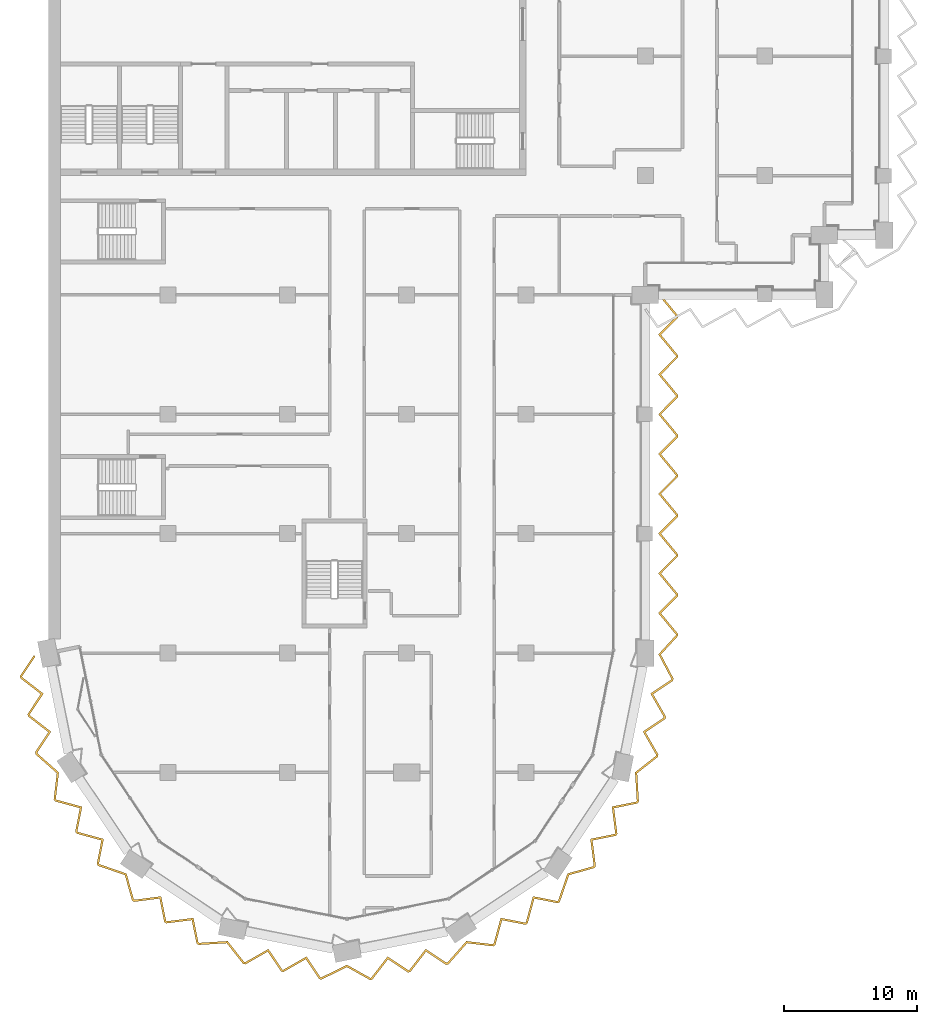
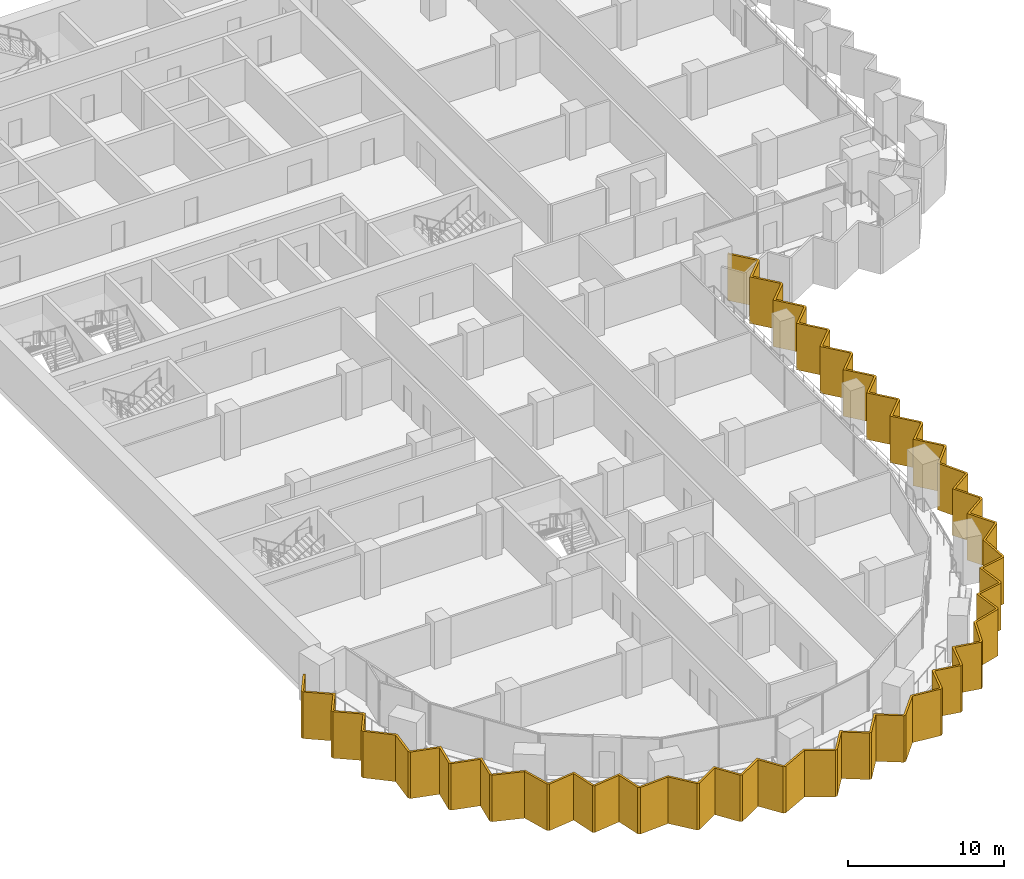
# One storey, part 18 of 22: 1 shading device.
"""IFC4 building model written with IfcOpenShell, lengths in metres."""

import ifcopenshell
import ifcopenshell.guid

model = None  # the IFC model being written
_history = None  # IfcOwnerHistory: only IFC2X3 demands one
_inside = {}  # id of a spatial element -> (the spatial element, [elements in it])
_under = {}  # id of a project, library or spatial element -> (it, [spatial elements below it])
_declared = {}  # id of a project -> (the project, [libraries it declares])
_typed = {}  # id of a type object -> (the type object, [elements of that type])
_made_of = {}  # id of a material, layer set ... -> (it, [elements and type objects made of it])


def new_model(schema):
    """Start an empty IFC model of exactly this schema.

    Asked for "IFC4X3", IfcOpenShell would pick the latest addendum, in which some entities
    have other attributes; the version numbers below select the first issue.
    IFC2X3 requires an IfcOwnerHistory on every rooted entity: one is made here for all.
    """
    global model, _history
    if schema == "IFC4X3":
        model = ifcopenshell.file(schema_version=(4, 3, 0, 0))
    else:
        model = ifcopenshell.file(schema=schema)
    _inside.clear()
    _under.clear()
    _declared.clear()
    _typed.clear()
    _made_of.clear()
    _history = None
    if model.schema == "IFC2X3":
        org = make("IfcOrganization", Name="unknown")
        user = make(
            "IfcPersonAndOrganization",
            ThePerson=make("IfcPerson", FamilyName="unknown"),
            TheOrganization=org,
        )
        app = make(
            "IfcApplication",
            ApplicationDeveloper=org,
            Version="unknown",
            ApplicationFullName="unknown",
            ApplicationIdentifier="unknown",
        )
        _history = make(
            "IfcOwnerHistory",
            OwningUser=user,
            OwningApplication=app,
            ChangeAction="ADDED",
            CreationDate=0,
        )
    return model


def make(cls, **values):
    """One entity of the class cls with the attributes given. An attribute that is None is left unset."""
    return model.create_entity(
        cls, **{name: value for name, value in values.items() if value is not None}
    )


def rooted(cls, **values):
    """An entity with a GlobalId (a new one), such as an element, a storey or a relation."""
    return make(cls, GlobalId=ifcopenshell.guid.new(), OwnerHistory=_history, **values)


def si_unit(unit_type, name, prefix=None):
    """IfcSIUnit, for example si_unit("LENGTHUNIT", "METRE", prefix="MILLI")."""
    return make("IfcSIUnit", UnitType=unit_type, Prefix=prefix, Name=name)


def assignment(units):
    """IfcUnitAssignment: the units of a project."""
    return None if units is None else make("IfcUnitAssignment", Units=units)


def point(xyz):
    """IfcCartesianPoint."""
    return None if xyz is None else make("IfcCartesianPoint", Coordinates=xyz)


def direction(xyz):
    """IfcDirection."""
    return None if xyz is None else make("IfcDirection", DirectionRatios=xyz)


def frame(location, z_axis=None, x_axis=None):
    """IfcAxis2Placement3D, a coordinate frame: its origin and axes. An axis left out is left unset."""
    return make(
        "IfcAxis2Placement3D",
        Location=point(location),
        Axis=direction(z_axis),
        RefDirection=direction(x_axis),
    )


def origin():
    """The frame at (0, 0, 0) with its axes left unset."""
    return frame((0.0, 0.0, 0.0))


def place(relative_to, where):
    """IfcLocalPlacement: puts the frame where relative to a parent placement (None: the world)."""
    return make(
        "IfcLocalPlacement", PlacementRelTo=relative_to, RelativePlacement=where
    )


def context(
    kind, dimensions, precision=None, world=None, true_north=None, identifier=None
):
    """IfcGeometricRepresentationContext, for example the 3D "Model" context."""
    return make(
        "IfcGeometricRepresentationContext",
        ContextIdentifier=identifier,
        ContextType=kind,
        CoordinateSpaceDimension=dimensions,
        Precision=precision,
        WorldCoordinateSystem=world,
        TrueNorth=true_north,
    )


def subcontext(parent, identifier, kind, view, scale=None):
    """IfcGeometricRepresentationSubContext, for example "Body" below "Model"."""
    return make(
        "IfcGeometricRepresentationSubContext",
        ContextIdentifier=identifier,
        ContextType=kind,
        ParentContext=parent,
        TargetScale=scale,
        TargetView=view,
    )


def project(units=None, contexts=None):
    """IfcProject with its units and contexts."""
    return rooted(
        "IfcProject",
        Name="project",
        RepresentationContexts=contexts,
        UnitsInContext=assignment(units),
    )


def spatial(cls, under=None, at=None, **own):
    """A site, building, storey or space (cls), placed at a placement, below another one or the project."""
    s = rooted(cls, ObjectPlacement=at, **own)
    if under is not None:
        _under.setdefault(under.id(), (under, []))[1].append(s)
    return s


def polyline(points):
    """IfcPolyline through the points."""
    return make("IfcPolyline", Points=[point(p) for p in points])


def outline(outer, holes=None, kind="AREA"):
    """IfcArbitraryClosedProfileDef: a profile drawn as a closed curve; with holes, ...WithVoids."""
    if holes is None:
        return make("IfcArbitraryClosedProfileDef", ProfileType=kind, OuterCurve=outer)
    return make(
        "IfcArbitraryProfileDefWithVoids",
        ProfileType=kind,
        OuterCurve=outer,
        InnerCurves=holes,
    )


def extrude(swept, where, along, depth):
    """IfcExtrudedAreaSolid: the profile swept, set in the frame where, extruded along a direction by depth."""
    return make(
        "IfcExtrudedAreaSolid",
        SweptArea=swept,
        Position=where,
        ExtrudedDirection=direction(along),
        Depth=depth,
    )


def shape(context_of_items, identifier, shape_type, items):
    """IfcShapeRepresentation: the items that make up one representation, for example the "Body"."""
    return make(
        "IfcShapeRepresentation",
        ContextOfItems=context_of_items,
        RepresentationIdentifier=identifier,
        RepresentationType=shape_type,
        Items=items,
    )


def material(Name=None, Category=None):
    """IfcMaterial."""
    return make("IfcMaterial", Name=Name, Category=Category)


def layer(
    of_material, thickness, ventilated=None, Name=None, Category=None, Priority=None
):
    """IfcMaterialLayer: one layer of a wall or slab, of a material (None: an air gap)."""
    return make(
        "IfcMaterialLayer",
        Material=of_material,
        LayerThickness=thickness,
        IsVentilated=ventilated,
        Name=Name,
        Category=Category,
        Priority=Priority,
    )


def layer_set(layers, Name=None):
    """IfcMaterialLayerSet."""
    return make("IfcMaterialLayerSet", MaterialLayers=layers, LayerSetName=Name)


def made_of(thing, what):
    """Note that an element or type object is made of a material, layer set ...; save() writes the relation."""
    if what is not None:
        _made_of.setdefault(what.id(), (what, []))[1].append(thing)
    return thing


def type_object(cls, material=None, **own):
    """A type object (cls), such as IfcWallType, which elements share."""
    return made_of(rooted(cls, **own), material)


def element(
    cls,
    number,
    at=None,
    inside=None,
    cuts=None,
    type_object=None,
    material=None,
    context=None,
    identifier="Body",
    shape_type=None,
    held_by="IfcProductDefinitionShape",
    body=None,
    shapes=None,
    **own,
):
    """One element of the class cls, such as IfcWall. Its Tag is "e" and its number.

    at: its placement. inside: the storey or other place that contains it. cuts: it is an
    opening in that element (IfcRelVoidsElement). A single representation is given by context,
    identifier, shape_type and body (its items); several are given by shapes. held_by: the class
    of the entity that holds the representations. save() writes the other relations.
    """
    e = rooted(cls, Tag="e%d" % number, ObjectPlacement=at, **own)
    if body is not None:
        shapes = [shape(context, identifier, shape_type, body)]
    if shapes is not None:
        e.Representation = make(held_by, Representations=shapes)
    if inside is not None:
        _inside.setdefault(inside.id(), (inside, []))[1].append(e)
    if cuts is not None:
        rooted(
            "IfcRelVoidsElement", RelatingBuildingElement=cuts, RelatedOpeningElement=e
        )
    if type_object is not None:
        _typed.setdefault(type_object.id(), (type_object, []))[1].append(e)
    return made_of(e, material)


def aggregate(whole, parts):
    """IfcRelAggregates: a whole, such as a stair, and the parts it consists of."""
    return rooted("IfcRelAggregates", RelatingObject=whole, RelatedObjects=parts)


def save(model, path):
    """Write the relations noted so far, then the file.

    IfcRelAggregates (storeys below a building ...), IfcRelContainedInSpatialStructure (elements
    in a storey), IfcRelDefinesByType, IfcRelAssociatesMaterial and IfcRelDeclares: one each for
    every whole, place, type object, material and project.
    """
    for whole, parts in _under.values():
        aggregate(whole, parts)
    for where, things in _inside.values():
        rooted(
            "IfcRelContainedInSpatialStructure",
            RelatedElements=things,
            RelatingStructure=where,
        )
    for kind, things in _typed.values():
        rooted("IfcRelDefinesByType", RelatedObjects=things, RelatingType=kind)
    for what, things in _made_of.values():
        rooted("IfcRelAssociatesMaterial", RelatedObjects=things, RelatingMaterial=what)
    for by, libraries in _declared.values():
        rooted("IfcRelDeclares", RelatingContext=by, RelatedDefinitions=libraries)
    model.write(path)


model = new_model("IFC4")

# Units and contexts
model_context = context("Model", 3, precision=1e-05, world=origin(), true_north=direction((0.0, 1.0)))
body_context = subcontext(model_context, "Body", "Model", "MODEL_VIEW")
ifc_project = project(units=[si_unit("LENGTHUNIT", "METRE"), si_unit("AREAUNIT", "SQUARE_METRE"), si_unit("VOLUMEUNIT", "CUBIC_METRE"), si_unit("PLANEANGLEUNIT", "RADIAN"), si_unit("MASSUNIT", "GRAM", prefix="KILO")], contexts=[model_context])

# Site, building, storey
site_placement = place(None, origin())
site = spatial("IfcSite", under=ifc_project, at=site_placement, CompositionType="ELEMENT")
building_placement = place(site_placement, origin())
building = spatial("IfcBuilding", under=site, at=building_placement, Name="Hunhe Ridgeline Campus", CompositionType="ELEMENT")
storey_placement = place(building_placement, frame((0.0, 0.0, 174.5)))
storey = spatial("IfcBuildingStorey", under=building, at=storey_placement, Name="L44", CompositionType="ELEMENT", Elevation=174.5)

# Shading device
ifc_material = material(Name="Concrete C50", Category="concrete")
ifc_layer = layer(ifc_material, 0.14990234375)
ifc_layer_set = layer_set([ifc_layer], Name="Sawtooth concrete fin 150 Concrete C50")
shading_device_type = type_object("IfcShadingDeviceType", Name="Sawtooth concrete fin 150 Concrete C50", PredefinedType="USERDEFINED", material=ifc_layer_set)
shading_device_placement = place(storey_placement, frame((0.0, 0.0, -0.949951171875)))
element("IfcShadingDevice", 1, at=shading_device_placement, inside=storey, type_object=shading_device_type, Name="Concrete fin screen 1", ObjectType="FIN", PredefinedType="USERDEFINED", context=body_context, shape_type="SweptSolid", body=[
    extrude(outline(polyline([(-0.99169921875, 26.748779296875), (-1.116943359375, 26.831787109375), (-2.1533203125, 25.267333984375), (-2.118408203125, 25.091796875), (-0.58447265625, 23.903564453125), (-1.58251953125, 22.397216796875), (-1.547607421875, 22.2216796875), (-0.013427734375, 21.033447265625), (-1.011474609375, 19.527099609375), (-0.97705078125, 19.354248046875), (0.62109375, 17.93994140625), (0.38818359375, 15.9619140625), (0.48583984375, 15.81591796875), (2.357666015625, 15.30517578125), (2.01220703125, 13.531494140625), (2.111572265625, 13.3828125), (3.983642578125, 12.8720703125), (3.637939453125, 11.098388671875), (3.73583984375, 10.951904296875), (5.753662109375, 10.2568359375), (6.29541015625, 8.34033203125), (6.44140625, 8.242919921875), (8.366455078125, 8.4873046875), (8.725830078125, 6.71630859375), (8.874755859375, 6.616943359375), (10.799560546875, 6.861572265625), (11.158935546875, 5.090576171875), (11.305419921875, 4.99267578125), (13.435546875, 5.122802734375), (14.669677734375, 3.5595703125), (14.841796875, 3.525390625), (16.52685546875, 4.48779296875), (17.53662109375, 2.9892578125), (17.712158203125, 2.954345703125), (19.39697265625, 3.9169921875), (20.40673828125, 2.41845703125), (20.579345703125, 2.384033203125), (22.49755859375, 3.3193359375), (24.23583984375, 2.347412109375), (24.408203125, 2.381591796875), (25.596435546875, 3.91552734375), (27.102783203125, 2.91748046875), (27.2783203125, 2.952392578125), (28.466552734375, 4.486572265625), (29.972900390625, 3.488525390625), (30.145751953125, 3.52294921875), (31.56005859375, 5.12109375), (33.5380859375, 4.88818359375), (33.68408203125, 4.98583984375), (34.19482421875, 6.857666015625), (35.968505859375, 6.51220703125), (36.1171875, 6.611572265625), (36.6279296875, 8.483642578125), (38.401611328125, 8.137939453125), (38.548095703125, 8.23583984375), (39.2431640625, 10.253662109375), (41.15966796875, 10.79541015625), (41.257080078125, 10.94140625), (41.0126953125, 12.866455078125), (42.78369140625, 13.225830078125), (42.883056640625, 13.374755859375), (42.638427734375, 15.299560546875), (44.409423828125, 15.658935546875), (44.50732421875, 15.805419921875), (44.377197265625, 17.935546875), (45.9404296875, 19.169677734375), (45.974609375, 19.341796875), (45.01220703125, 21.02685546875), (46.5107421875, 22.03662109375), (46.545654296875, 22.212158203125), (45.5830078125, 23.89697265625), (47.08154296875, 24.90673828125), (47.1162109375, 25.080810546875), (46.166015625, 26.88232421875), (47.449951171875, 28.281005859375), (47.449951171875, 28.457275390625), (46.176025390625, 29.995361328125), (47.449951171875, 31.279296875), (47.449951171875, 31.457275390625), (46.176025390625, 32.995361328125), (47.449951171875, 34.279296875), (47.449951171875, 34.457275390625), (46.176025390625, 35.995361328125), (47.449951171875, 37.279296875), (47.449951171875, 37.457275390625), (46.176025390625, 38.995361328125), (47.449951171875, 40.279296875), (47.449951171875, 40.457275390625), (46.176025390625, 41.995361328125), (47.449951171875, 43.279296875), (47.449951171875, 43.457275390625), (46.176025390625, 44.995361328125), (47.449951171875, 46.279296875), (47.449951171875, 46.457275390625), (46.176025390625, 47.995361328125), (47.449951171875, 49.279296875), (47.449951171875, 49.457275390625), (46.176025390625, 50.995361328125), (47.449951171875, 52.279296875), (47.449951171875, 52.457275390625), (46.1328125, 54.0478515625), (46.017333984375, 53.9521484375), (47.300048828125, 52.4033203125), (47.300048828125, 52.341064453125), (45.973876953125, 51.004638671875), (47.300048828125, 49.4033203125), (47.300048828125, 49.341064453125), (45.973876953125, 48.004638671875), (47.300048828125, 46.4033203125), (47.300048828125, 46.341064453125), (45.973876953125, 45.004638671875), (47.300048828125, 43.4033203125), (47.300048828125, 43.341064453125), (45.973876953125, 42.004638671875), (47.300048828125, 40.4033203125), (47.300048828125, 40.341064453125), (45.973876953125, 39.004638671875), (47.300048828125, 37.4033203125), (47.300048828125, 37.341064453125), (45.973876953125, 36.004638671875), (47.300048828125, 34.4033203125), (47.300048828125, 34.341064453125), (45.973876953125, 33.004638671875), (47.300048828125, 31.4033203125), (47.300048828125, 31.341064453125), (45.973876953125, 30.004638671875), (47.300048828125, 28.4033203125), (47.300048828125, 28.33935546875), (45.98388671875, 26.906005859375), (46.958740234375, 25.057861328125), (46.946533203125, 24.99658203125), (45.3837890625, 23.943359375), (46.387451171875, 22.186279296875), (46.375732421875, 22.12646484375), (44.812744140625, 21.0732421875), (45.816650390625, 19.316162109375), (45.80419921875, 19.253173828125), (44.22265625, 18.004638671875), (44.3544921875, 15.846923828125), (44.319091796875, 15.793701171875), (42.47216796875, 15.4189453125), (42.72705078125, 13.411376953125), (42.693115234375, 13.360595703125), (40.846435546875, 12.985595703125), (41.101318359375, 10.978271484375), (41.065673828125, 10.9248046875), (39.126708984375, 10.37646484375), (38.4228515625, 8.33251953125), (38.36962890625, 8.297119140625), (36.52001953125, 8.657470703125), (35.9873046875, 6.705078125), (35.9365234375, 6.671142578125), (34.086669921875, 7.031494140625), (33.55419921875, 5.079345703125), (33.50048828125, 5.043701171875), (31.499755859375, 5.279052734375), (30.06689453125, 3.66015625), (30.00439453125, 3.647705078125), (28.433349609375, 4.6884765625), (27.194091796875, 3.088623046875), (27.13427734375, 3.07666015625), (25.563232421875, 4.117431640625), (24.323974609375, 2.517822265625), (24.260986328125, 2.505126953125), (22.50244140625, 3.488525390625), (20.55908203125, 2.541015625), (20.49658203125, 2.553466796875), (19.443359375, 4.1162109375), (17.686279296875, 3.112548828125), (17.62646484375, 3.124267578125), (16.5732421875, 4.687255859375), (14.816162109375, 3.683349609375), (14.753173828125, 3.69580078125), (13.504638671875, 5.27734375), (11.346923828125, 5.1455078125), (11.293701171875, 5.180908203125), (10.9189453125, 7.02783203125), (8.911376953125, 6.77294921875), (8.860595703125, 6.806884765625), (8.485595703125, 8.653564453125), (6.478271484375, 8.398681640625), (6.4248046875, 8.434326171875), (5.87646484375, 10.373291015625), (3.83251953125, 11.0771484375), (3.797119140625, 11.13037109375), (4.157470703125, 12.97998046875), (2.205078125, 13.5126953125), (2.171142578125, 13.5634765625), (2.531494140625, 15.413330078125), (0.579345703125, 15.94580078125), (0.543701171875, 15.99951171875), (0.779052734375, 18.000244140625), (-0.83984375, 19.43310546875), (-0.852294921875, 19.49560546875), (0.1884765625, 21.066650390625), (-1.411376953125, 22.305908203125), (-1.42333984375, 22.36572265625), (-0.382568359375, 23.936767578125), (-1.982177734375, 25.176025390625), (-1.994140625, 25.23583984375), (-0.99169921875, 26.748779296875)])), origin(), (0.0, 0.0, 1.0), 3.64990234375),
])

save(model, "model.ifc")
